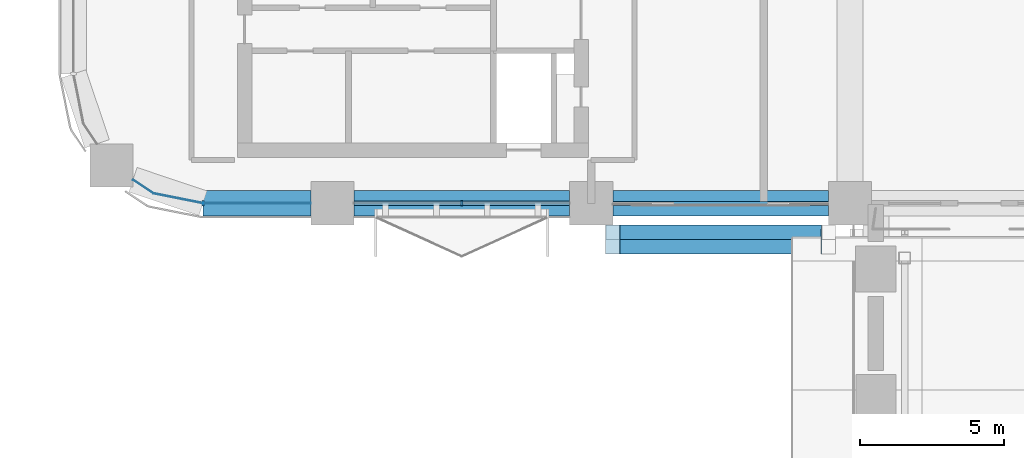
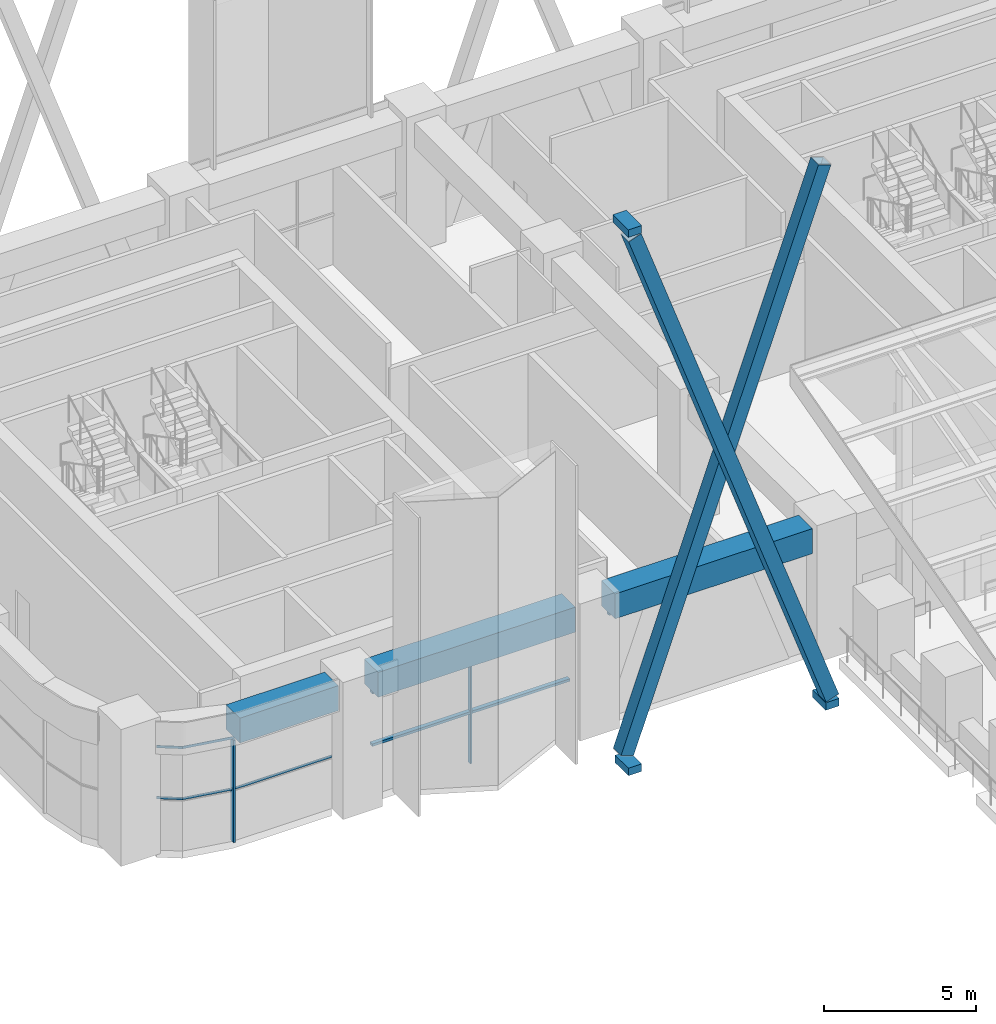
# One storey, part 4 of 22: 12 members, 3 beams, 3 elements without a shape of their own.
"""IFC4 building model written with IfcOpenShell, lengths in metres."""

from ifc_helpers import new_model, si_unit, direction, frame, origin, origin_2d, place, context, subcontext, project, spatial, polyline, rectangle, hollow_rectangle, outline, extrude, material, layer, layer_set, material_profile, profile_set, type_object, element, aggregate, save


model = new_model("IFC4")

# Units and contexts
model_context = context("Model", 3, precision=1e-05, world=origin(), true_north=direction((0.0, 1.0)))
body_context = subcontext(model_context, "Body", "Model", "MODEL_VIEW")
ifc_project = project(units=[si_unit("LENGTHUNIT", "METRE"), si_unit("AREAUNIT", "SQUARE_METRE"), si_unit("VOLUMEUNIT", "CUBIC_METRE"), si_unit("PLANEANGLEUNIT", "RADIAN"), si_unit("MASSUNIT", "GRAM", prefix="KILO")], contexts=[model_context])

# Site, building, storey
site_placement = place(None, origin())
site = spatial("IfcSite", under=ifc_project, at=site_placement, CompositionType="ELEMENT")
building_placement = place(site_placement, origin())
building = spatial("IfcBuilding", under=site, at=building_placement, Name="Tessera Arch", CompositionType="ELEMENT")
storey_placement = place(building_placement, frame((0.0, 0.0, 129.39990234375)))
storey = spatial("IfcBuildingStorey", under=building, at=storey_placement, Name="L30", CompositionType="ELEMENT", Elevation=129.39990234375)

# Members
ifc_material_1 = material(Name="Steel A500 Gr C", Category="steel")
ifc_material_profile_1 = material_profile(ifc_material_1, hollow_rectangle(XDim=0.508056640625, YDim=0.508056640625, WallThickness=0.0146484375, at=origin_2d()), Name="HSS20x20x5/8")
ifc_profile_set_1 = profile_set([ifc_material_profile_1], Name="Steel A500 Gr C")
member_type_1 = type_object("IfcMemberType", Name="Brace HSS20x20x5/8 Steel A500 Gr C", PredefinedType="BRACE", material=ifc_profile_set_1)
for number, where, z_axis, x_axis, name in (
    (1, (18.75, 25.99609375, -0.7998046875), (0.334923631924, 0.0, 0.942245276337), (0.0, 1.0, 0.0), "Brace S27.0-2 A L30-L34"),
    (2, (26.25, 25.488037109375, -0.7998046875), (-0.334923631924, 0.0, 0.942245276337), (0.0, -1.0, 0.0), "Brace S27.0-2 B L30-L34"),
):
    element("IfcMember", number, at=place(storey_placement, frame(where, z_axis=z_axis, x_axis=x_axis)), inside=storey, type_object=member_type_1, Name=name, PredefinedType="BRACE", context=body_context, shape_type="SweptSolid", body=[
        extrude(hollow_rectangle(XDim=0.508056640625, YDim=0.508056640625, WallThickness=0.0146484375, at=origin_2d()), origin(), (0.0, 0.0, 1.0), 22.39306640625),
    ])

# Curtain wall, members
ifc_material_2 = material(Name="CW1 curtain wall")
curtain_wall_type_1 = type_object("IfcCurtainWallType", Name="CW1 curtain wall", PredefinedType="NOTDEFINED", material=ifc_material_2)
curtain_wall_1_placement = place(storey_placement, origin())
curtain_wall_1 = element("IfcCurtainWall", 3, at=curtain_wall_1_placement, inside=storey, type_object=curtain_wall_type_1, Name="CW1 curtain wall S27.0/1 L30", PredefinedType="NOTDEFINED")
ifc_material_3 = material(Name="Anodised aluminium pale metal", Category="aluminium")
ifc_material_profile_2 = material_profile(ifc_material_3, rectangle(XDim=0.159912109375, YDim=0.06005859375, at=origin_2d()), Name="AL 60x160")
ifc_profile_set_2 = profile_set([ifc_material_profile_2], Name="Anodised aluminium pale metal")
member_type_2 = type_object("IfcMemberType", Name="CW1 mullion", PredefinedType="MULLION", material=ifc_profile_set_2)
member_1_placement = place(storey_placement, frame((13.5, 27.0, 0.0), z_axis=(0.0, 0.0, 1.0), x_axis=(0.0, 1.0, 0.0)))
member_1 = element("IfcMember", 4, at=member_1_placement, type_object=member_type_2, Name="CW1 mullion S27.0/1 1", PredefinedType="MULLION", context=body_context, shape_type="SweptSolid", body=[
    extrude(rectangle(XDim=0.159912109375, YDim=0.06005859375, at=origin_2d()), origin(), (0.0, 0.0, 1.0), 4.10009765625),
])
ifc_material_4 = material(Name="Anodised aluminium pale metal", Category="aluminium")
ifc_material_profile_3 = material_profile(ifc_material_4, rectangle(XDim=0.159912109375, YDim=0.10009765625, at=origin_2d()), Name="AL 160x100")
ifc_profile_set_3 = profile_set([ifc_material_profile_3], Name="Anodised aluminium pale metal")
member_type_3 = type_object("IfcMemberType", Name="CW1 transom", PredefinedType="USERDEFINED", material=ifc_profile_set_3)
member_2_placement = place(storey_placement, frame((9.75, 27.0, 4.150146484375), z_axis=(1.0, 0.0, 0.0), x_axis=(0.0, 1.0, 0.0)))
member_2 = element("IfcMember", 5, at=member_2_placement, type_object=member_type_3, Name="CW1 transom S27.0/1 1.1", ObjectType="TRANSOM", PredefinedType="USERDEFINED", context=body_context, shape_type="SweptSolid", body=[
    extrude(rectangle(XDim=0.159912109375, YDim=0.10009765625, at=origin_2d()), origin(), (0.0, 0.0, 1.0), 7.5),
])
member_3_placement = place(storey_placement, frame((9.75, 27.0, 2.050048828125), z_axis=(1.0, 0.0, 0.0), x_axis=(0.0, 1.0, 0.0)))
member_3 = element("IfcMember", 6, at=member_3_placement, type_object=member_type_3, Name="CW1 transom S27.0/1 2.1", ObjectType="TRANSOM", PredefinedType="USERDEFINED", context=body_context, shape_type="SweptSolid", body=[
    extrude(rectangle(XDim=0.159912109375, YDim=0.10009765625, at=origin_2d()), origin(), (0.0, 0.0, 1.0), 7.5),
])
aggregate(curtain_wall_1, [member_1, member_2, member_3])

ifc_material_5 = material(Name="CW2 curtain wall")
curtain_wall_type_2 = type_object("IfcCurtainWallType", Name="CW2 curtain wall", PredefinedType="NOTDEFINED", material=ifc_material_5)
curtain_wall_2_placement = place(storey_placement, origin())
curtain_wall_2 = element("IfcCurtainWall", 7, at=curtain_wall_2_placement, inside=storey, type_object=curtain_wall_type_2, Name="CW2 curtain wall S27.0/0 L30", PredefinedType="NOTDEFINED")
ifc_material_6 = material(Name="Anodised aluminium pale metal", Category="aluminium")
ifc_material_profile_4 = material_profile(ifc_material_6, rectangle(XDim=0.199951171875, YDim=0.080078125, at=origin_2d()), Name="AL 80x200")
ifc_profile_set_4 = profile_set([ifc_material_profile_4], Name="Anodised aluminium pale metal")
member_type_4 = type_object("IfcMemberType", Name="CW2 mullion", PredefinedType="MULLION", material=ifc_profile_set_4)
member_4_placement = place(storey_placement, frame((4.5, 27.0, 0.0), z_axis=(0.0, 0.0, 1.0), x_axis=(0.0, 1.0, 0.0)))
member_4 = element("IfcMember", 8, at=member_4_placement, type_object=member_type_4, Name="CW2 mullion S27.0/0 1", PredefinedType="MULLION", context=body_context, shape_type="SweptSolid", body=[
    extrude(rectangle(XDim=0.199951171875, YDim=0.080078125, at=origin_2d()), origin(), (0.0, 0.0, 1.0), 4.10009765625),
])
ifc_material_7 = material(Name="Anodised aluminium pale metal", Category="aluminium")
ifc_material_profile_5 = material_profile(ifc_material_7, rectangle(XDim=0.199951171875, YDim=0.10009765625, at=origin_2d()), Name="AL 200x100")
ifc_profile_set_5 = profile_set([ifc_material_profile_5], Name="Anodised aluminium pale metal")
member_type_5 = type_object("IfcMemberType", Name="CW2 transom", PredefinedType="USERDEFINED", material=ifc_profile_set_5)
member_5_placement = place(storey_placement, frame((0.0, 0.0, 2.050048828125)))
member_5 = element("IfcMember", 9, at=member_5_placement, type_object=member_type_5, Name="CW2 transom S27.0/0 1", ObjectType="TRANSOM", PredefinedType="USERDEFINED", context=body_context, shape_type="SweptSolid", body=[
    extrude(outline(polyline([(2.78173828125, 27.351806640625), (2.073486328125, 27.8251953125), (2.0625, 27.80859375), (2.77392578125, 27.3330078125), (4.4990234375, 26.989990234375), (8.25, 26.989990234375), (8.25, 27.010009765625), (4.5009765625, 27.010009765625), (2.78173828125, 27.351806640625)])), origin(), (0.0, 0.0, 1.0), 0.10009765625),
])
member_6_placement = place(storey_placement, frame((0.0, 0.0, 4.10009765625)))
member_6 = element("IfcMember", 10, at=member_6_placement, type_object=member_type_5, Name="CW2 transom S27.0/0 2", ObjectType="TRANSOM", PredefinedType="USERDEFINED", context=body_context, shape_type="SweptSolid", body=[
    extrude(outline(polyline([(2.78173828125, 27.351806640625), (2.073486328125, 27.8251953125), (2.0625, 27.80859375), (2.77392578125, 27.3330078125), (4.4990234375, 26.989990234375), (8.25, 26.989990234375), (8.25, 27.010009765625), (4.5009765625, 27.010009765625), (2.78173828125, 27.351806640625)])), origin(), (0.0, 0.0, 1.0), 0.10009765625),
])
aggregate(curtain_wall_2, [member_4, member_5, member_6])

# Curtain wall, member
ifc_material_8 = material(Name="CW3 curtain wall")
curtain_wall_type_3 = type_object("IfcCurtainWallType", Name="CW3 curtain wall", PredefinedType="NOTDEFINED", material=ifc_material_8)
curtain_wall_3_placement = place(storey_placement, origin())
curtain_wall_3 = element("IfcCurtainWall", 11, at=curtain_wall_3_placement, inside=storey, type_object=curtain_wall_type_3, Name="CW3 curtain wall S27.0/2 L30", PredefinedType="NOTDEFINED")
ifc_material_9 = material(Name="Anodised aluminium pale metal", Category="aluminium")
ifc_material_profile_6 = material_profile(ifc_material_9, rectangle(XDim=0.139892578125, YDim=0.10009765625, at=origin_2d()), Name="AL 140x100")
ifc_profile_set_6 = profile_set([ifc_material_profile_6], Name="Anodised aluminium pale metal")
member_type_6 = type_object("IfcMemberType", Name="CW3 transom", PredefinedType="USERDEFINED", material=ifc_profile_set_6)
member_7_placement = place(storey_placement, frame((18.75, 27.0, 4.150146484375), z_axis=(1.0, 0.0, 0.0), x_axis=(0.0, 1.0, 0.0)))
member_7 = element("IfcMember", 12, at=member_7_placement, type_object=member_type_6, Name="CW3 transom S27.0/2 1.1", ObjectType="TRANSOM", PredefinedType="USERDEFINED", context=body_context, shape_type="SweptSolid", body=[
    extrude(rectangle(XDim=0.139892578125, YDim=0.10009765625, at=origin_2d()), origin(), (0.0, 0.0, 1.0), 7.5),
])
aggregate(curtain_wall_3, [member_7])

# Members
ifc_material_10 = material(Name="Steel A572 Gr50", Category="steel")
ifc_layer = layer(ifc_material_10, 0.050048828125)
ifc_layer_set = layer_set([ifc_layer], Name="Node block Steel A572 Gr50")
member_type_7 = type_object("IfcMemberType", Name="Node block Steel A572 Gr50", PredefinedType="PLATE", material=ifc_layer_set)
for number, where, z_axis, x_axis, name in (
    (13, (26.25, 25.6669921875, -1.20849609375), (0.0, 0.0, 1.0), (1.0, 0.0, 0.0), "Node block seat S27.0-2 1 L30"),
    (14, (18.75, 25.6669921875, -1.20849609375), (0.0, 0.0, 1.0), (1.0, 0.0, 0.0), "Node block seat S27.0-2 2 L30"),
):
    element("IfcMember", number, at=place(storey_placement, frame(where, z_axis=z_axis, x_axis=x_axis)), inside=storey, type_object=member_type_7, Name=name, PredefinedType="PLATE", context=body_context, shape_type="SweptSolid", body=[
        extrude(rectangle(XDim=0.508056640625, YDim=0.865966796875, at=origin_2d()), origin(), (0.0, 0.0, 1.0), 0.300048828125),
    ])
member_8_placement = place(storey_placement, frame((18.75, 25.741943359375, 20.40869140625), z_axis=(0.0, 0.0, 1.0), x_axis=(1.0, 0.0, 0.0)))
element("IfcMember", 15, at=member_8_placement, inside=storey, type_object=member_type_7, Name="Node block head S27.0-2 B L30", PredefinedType="PLATE", context=body_context, shape_type="SweptSolid", body=[
    extrude(rectangle(XDim=0.508056640625, YDim=1.01611328125, at=origin_2d()), origin(), (0.0, 0.0, 1.0), 0.300048828125),
])

# Beams
ifc_material_11 = material(Name="Concrete C70/85", Category="concrete")
ifc_material_profile_7 = material_profile(ifc_material_11, rectangle(XDim=0.89990234375, YDim=1.0, at=origin_2d()), Name="RC spandrel beam 900 x 1000 Concrete C70/85")
ifc_profile_set_7 = profile_set([ifc_material_profile_7], Name="Concrete C70/85")
beam_type = type_object("IfcBeamType", Name="RC spandrel beam 900 x 1000 Concrete C70/85", PredefinedType="BEAM", material=ifc_profile_set_7)
beam_placement = place(storey_placement, frame((4.5, 27.0, 4.7001953125), z_axis=(1.0, 0.0, 0.0), x_axis=(0.0, 1.0, 0.0)))
element("IfcBeam", 16, at=beam_placement, inside=storey, type_object=beam_type, Name="Spandrel beam L30 S27.0/0.2", PredefinedType="BEAM", context=body_context, shape_type="SweptSolid", body=[
    extrude(rectangle(XDim=0.89990234375, YDim=1.0, at=origin_2d()), origin(), (0.0, 0.0, 1.0), 3.75),
])
for number, where, z_axis, x_axis, name in (
    (17, (9.75, 27.0, 4.7001953125), (1.0, 0.0, 0.0), (0.0, 1.0, 0.0), "Spandrel beam L30 S27.0/1"),
    (18, (18.75, 27.0, 4.7001953125), (1.0, 0.0, 0.0), (0.0, 1.0, 0.0), "Spandrel beam L30 S27.0/2"),
):
    element("IfcBeam", number, at=place(storey_placement, frame(where, z_axis=z_axis, x_axis=x_axis)), inside=storey, type_object=beam_type, Name=name, PredefinedType="BEAM", context=body_context, shape_type="SweptSolid", body=[
        extrude(rectangle(XDim=0.89990234375, YDim=1.0, at=origin_2d()), origin(), (0.0, 0.0, 1.0), 7.5),
    ])

save(model, "model.ifc")
